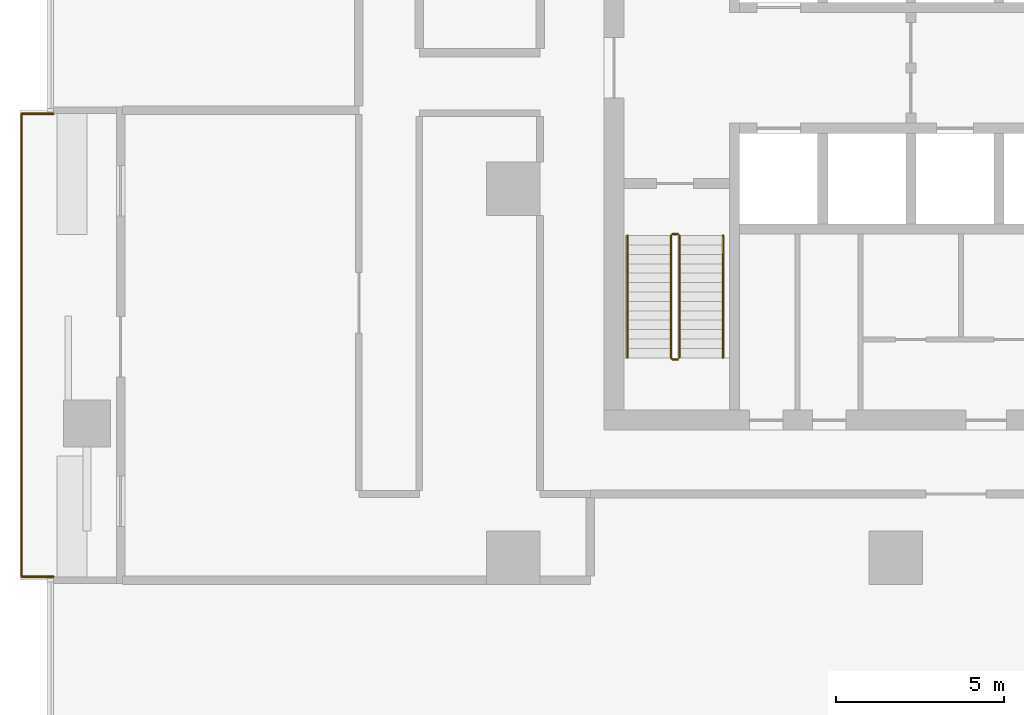
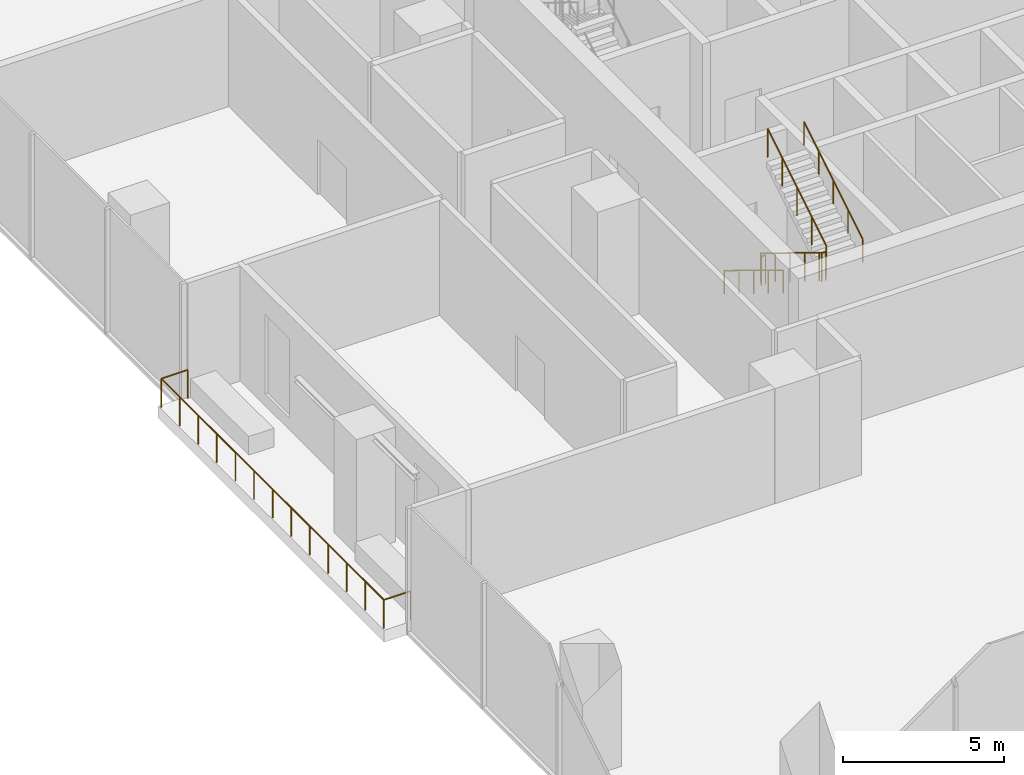
# One storey, part 12 of 14: 6 railings.
"""IFC4 building model written with IfcOpenShell, lengths in metres."""

from ifc_helpers import new_model, si_unit, direction, frame, origin, origin_2d, place, context, subcontext, project, spatial, circle, extrude, material, type_object, element, save


model = new_model("IFC4")

# Units and contexts
model_context = context("Model", 3, precision=1e-05, world=origin(), true_north=direction((0.0, 1.0)))
body_context = subcontext(model_context, "Body", "Model", "MODEL_VIEW")
ifc_project = project(units=[si_unit("LENGTHUNIT", "METRE"), si_unit("AREAUNIT", "SQUARE_METRE"), si_unit("VOLUMEUNIT", "CUBIC_METRE"), si_unit("PLANEANGLEUNIT", "RADIAN"), si_unit("MASSUNIT", "GRAM", prefix="KILO")], contexts=[model_context])

# Site, building, storey
site_placement = place(None, origin())
site = spatial("IfcSite", under=ifc_project, at=site_placement, CompositionType="ELEMENT")
building_placement = place(site_placement, origin())
building = spatial("IfcBuilding", under=site, at=building_placement, Name="Mopane Tessera Tower", CompositionType="ELEMENT")
storey_placement = place(building_placement, frame((0.0, 0.0, 35.800048828125)))
storey = spatial("IfcBuildingStorey", under=building, at=storey_placement, Name="L06", CompositionType="ELEMENT", Elevation=35.800048828125)

# Railings
ifc_material_1 = material(Name="Powder-coated steel balustrade", Category="steel")
railing_type_1 = type_object("IfcRailingType", Name="Escape stair guard 1100 mm", PredefinedType="GUARDRAIL", material=ifc_material_1)
railing_1_placement = place(storey_placement, frame((-12.39990234375, -1.39990234375, 0.17138671875)))
element("IfcRailing", 1, at=railing_1_placement, inside=storey, type_object=railing_type_1, Name="L06 ST1 stair guard 1", PredefinedType="GUARDRAIL", context=body_context, shape_type="SweptSolid", body=[
    extrude(circle(Radius=0.02392578125, at=origin_2d()), frame((0.0, 0.0, 1.076171875), z_axis=(0.0, -0.852865859571, 0.52213008492), x_axis=(1.0, 0.0, 0.0)), (0.0, 0.0, 1.0), 4.26806640625),
    extrude(circle(Radius=0.02392578125, at=origin_2d()), frame((0.0, -3.64013671875, 3.3046875), z_axis=(0.705375805398, -0.708833529934, 0.0), x_axis=(0.708833529934, 0.705375805398, 0.0)), (0.0, 0.0, 1.0), 0.070556640625),
    extrude(circle(Radius=0.02392578125, at=origin_2d()), frame((0.0498046875, -3.690185546875, 3.3046875), z_axis=(1.0, 0.0, 0.0), x_axis=(0.0, 1.0, 0.0)), (0.0, 0.0, 1.0), 0.150146484375),
    extrude(circle(Radius=0.02099609375, at=origin_2d()), origin(), (0.0, 0.0, 1.0), 1.052001953125),
    extrude(circle(Radius=0.02099609375, at=origin_2d()), frame((0.0, -0.91015625, 0.55712890625)), (0.0, 0.0, 1.0), 1.052001953125),
    extrude(circle(Radius=0.02099609375, at=origin_2d()), frame((0.0, -1.820068359375, 1.1142578125)), (0.0, 0.0, 1.0), 1.052001953125),
    extrude(circle(Radius=0.02099609375, at=origin_2d()), frame((0.0, -2.72998046875, 1.67138671875)), (0.0, 0.0, 1.0), 1.052001953125),
    extrude(circle(Radius=0.02099609375, at=origin_2d()), frame((0.0, -3.64013671875, 2.228515625)), (0.0, 0.0, 1.0), 1.052001953125),
    extrude(circle(Radius=0.02099609375, at=origin_2d()), frame((0.0498046875, -3.690185546875, 2.228515625)), (0.0, 0.0, 1.0), 1.052001953125),
    extrude(circle(Radius=0.02099609375, at=origin_2d()), frame((0.199951171875, -3.690185546875, 2.228515625)), (0.0, 0.0, 1.0), 1.052001953125),
])
railing_2_placement = place(storey_placement, frame((-12.14990234375, -5.0400390625, 2.5712890625)))
element("IfcRailing", 2, at=railing_2_placement, inside=storey, type_object=railing_type_1, Name="L06 ST1 stair guard 2", PredefinedType="GUARDRAIL", context=body_context, shape_type="SweptSolid", body=[
    extrude(circle(Radius=0.02392578125, at=origin_2d()), frame((0.0, 0.0, 1.076171875), z_axis=(0.0, 0.852840387347, 0.522171689878), x_axis=(-1.0, 0.0, 0.0)), (0.0, 0.0, 1.0), 4.268310546875),
    extrude(circle(Radius=0.02099609375, at=origin_2d()), origin(), (0.0, 0.0, 1.0), 1.052001953125),
    extrude(circle(Radius=0.02099609375, at=origin_2d()), frame((0.0, 0.91015625, 0.55712890625)), (0.0, 0.0, 1.0), 1.052001953125),
    extrude(circle(Radius=0.02099609375, at=origin_2d()), frame((0.0, 1.820068359375, 1.1142578125)), (0.0, 0.0, 1.0), 1.052001953125),
    extrude(circle(Radius=0.02099609375, at=origin_2d()), frame((0.0, 2.72998046875, 1.671630859375)), (0.0, 0.0, 1.0), 1.052001953125),
    extrude(circle(Radius=0.02099609375, at=origin_2d()), frame((0.0, 3.64013671875, 2.228759765625)), (0.0, 0.0, 1.0), 1.052001953125),
])
railing_3_placement = place(storey_placement, frame((-12.35009765625, -1.35009765625, 0.0)))
element("IfcRailing", 3, at=railing_3_placement, inside=storey, type_object=railing_type_1, Name="L06 ST1 stair guard 3", PredefinedType="GUARDRAIL", context=body_context, shape_type="SweptSolid", body=[
    extrude(circle(Radius=0.02392578125, at=origin_2d()), frame((0.0, 0.0, 1.076171875), z_axis=(1.0, 0.0, 0.0), x_axis=(0.0, 1.0, 0.0)), (0.0, 0.0, 1.0), 0.150146484375),
    extrude(circle(Radius=0.02099609375, at=origin_2d()), origin(), (0.0, 0.0, 1.0), 1.052001953125),
    extrude(circle(Radius=0.02099609375, at=origin_2d()), frame((0.150146484375, 0.0, 0.0)), (0.0, 0.0, 1.0), 1.052001953125),
])
ifc_material_2 = material(Name="Powder-coated steel balustrade", Category="steel")
railing_type_2 = type_object("IfcRailingType", Name="Escape stair handrail 900 mm", PredefinedType="HANDRAIL", material=ifc_material_2)
railing_4_placement = place(storey_placement, frame((-13.699951171875, -1.39990234375, 0.17138671875)))
element("IfcRailing", 4, at=railing_4_placement, inside=storey, type_object=railing_type_2, Name="L06 ST1 stair handrail 1", PredefinedType="HANDRAIL", context=body_context, shape_type="SweptSolid", body=[
    extrude(circle(Radius=0.02392578125, at=origin_2d()), frame((0.0, 0.0, 0.8759765625), z_axis=(0.0, -0.852865859571, 0.52213008492), x_axis=(1.0, 0.0, 0.0)), (0.0, 0.0, 1.0), 4.26806640625),
    extrude(circle(Radius=0.02099609375, at=origin_2d()), origin(), (0.0, 0.0, 1.0), 0.851806640625),
    extrude(circle(Radius=0.02099609375, at=origin_2d()), frame((0.0, -0.91015625, 0.55712890625)), (0.0, 0.0, 1.0), 0.851806640625),
    extrude(circle(Radius=0.02099609375, at=origin_2d()), frame((0.0, -1.820068359375, 1.1142578125)), (0.0, 0.0, 1.0), 0.851806640625),
    extrude(circle(Radius=0.02099609375, at=origin_2d()), frame((0.0, -2.72998046875, 1.67138671875)), (0.0, 0.0, 1.0), 0.851806640625),
    extrude(circle(Radius=0.02099609375, at=origin_2d()), frame((0.0, -3.64013671875, 2.228515625)), (0.0, 0.0, 1.0), 0.851806640625),
])
railing_5_placement = place(storey_placement, frame((-10.85009765625, -5.0400390625, 2.5712890625)))
element("IfcRailing", 5, at=railing_5_placement, inside=storey, type_object=railing_type_2, Name="L06 ST1 stair handrail 2", PredefinedType="HANDRAIL", context=body_context, shape_type="SweptSolid", body=[
    extrude(circle(Radius=0.02392578125, at=origin_2d()), frame((0.0, 0.0, 0.8759765625), z_axis=(0.0, 0.852840387347, 0.522171689878), x_axis=(-1.0, 0.0, 0.0)), (0.0, 0.0, 1.0), 4.268310546875),
    extrude(circle(Radius=0.02099609375, at=origin_2d()), origin(), (0.0, 0.0, 1.0), 0.851806640625),
    extrude(circle(Radius=0.02099609375, at=origin_2d()), frame((0.0, 0.91015625, 0.55712890625)), (0.0, 0.0, 1.0), 0.851806640625),
    extrude(circle(Radius=0.02099609375, at=origin_2d()), frame((0.0, 1.820068359375, 1.1142578125)), (0.0, 0.0, 1.0), 0.851806640625),
    extrude(circle(Radius=0.02099609375, at=origin_2d()), frame((0.0, 2.72998046875, 1.671630859375)), (0.0, 0.0, 1.0), 0.851806640625),
    extrude(circle(Radius=0.02099609375, at=origin_2d()), frame((0.0, 3.64013671875, 2.228759765625)), (0.0, 0.0, 1.0), 0.851806640625),
])
ifc_material_3 = material(Name="Stainless steel S316", Category="steel")
railing_type_3 = type_object("IfcRailingType", Name="Terrace guard 1100", PredefinedType="GUARDRAIL", material=ifc_material_3)
railing_6_placement = place(storey_placement, frame((-30.800048828125, 2.2333984375, 0.0)))
element("IfcRailing", 6, at=railing_6_placement, inside=storey, type_object=railing_type_3, Name="e:nw:L06:N3:guard", PredefinedType="GUARDRAIL", context=body_context, shape_type="SweptSolid", body=[
    extrude(circle(Radius=0.02392578125, at=origin_2d()), frame((0.0, 0.0, 1.076171875), z_axis=(-1.0, 0.0, 0.0), x_axis=(0.0, -1.0, 0.0)), (0.0, 0.0, 1.0), 0.949951171875),
    extrude(circle(Radius=0.02392578125, at=origin_2d()), frame((-0.949951171875, 0.0, 1.076171875), z_axis=(0.0, -1.0, 0.0), x_axis=(1.0, 0.0, 0.0)), (0.0, 0.0, 1.0), 13.800048828125),
    extrude(circle(Radius=0.02392578125, at=origin_2d()), frame((-0.949951171875, -13.800048828125, 1.076171875), z_axis=(1.0, 0.0, 0.0), x_axis=(0.0, 1.0, 0.0)), (0.0, 0.0, 1.0), 0.949951171875),
    extrude(circle(Radius=0.02099609375, at=origin_2d()), origin(), (0.0, 0.0, 1.0), 1.052001953125),
    extrude(circle(Radius=0.02099609375, at=origin_2d()), frame((-0.949951171875, 0.0, 0.0)), (0.0, 0.0, 1.0), 1.052001953125),
    extrude(circle(Radius=0.02099609375, at=origin_2d()), frame((-0.949951171875, -1.14990234375, 0.0)), (0.0, 0.0, 1.0), 1.052001953125),
    extrude(circle(Radius=0.02099609375, at=origin_2d()), frame((-0.949951171875, -2.300048828125, 0.0)), (0.0, 0.0, 1.0), 1.052001953125),
    extrude(circle(Radius=0.02099609375, at=origin_2d()), frame((-0.949951171875, -3.449951171875, 0.0)), (0.0, 0.0, 1.0), 1.052001953125),
    extrude(circle(Radius=0.02099609375, at=origin_2d()), frame((-0.949951171875, -4.60009765625, 0.0)), (0.0, 0.0, 1.0), 1.052001953125),
    extrude(circle(Radius=0.02099609375, at=origin_2d()), frame((-0.949951171875, -5.75, 0.0)), (0.0, 0.0, 1.0), 1.052001953125),
    extrude(circle(Radius=0.02099609375, at=origin_2d()), frame((-0.949951171875, -6.89990234375, 0.0)), (0.0, 0.0, 1.0), 1.052001953125),
    extrude(circle(Radius=0.02099609375, at=origin_2d()), frame((-0.949951171875, -8.050048828125, 0.0)), (0.0, 0.0, 1.0), 1.052001953125),
    extrude(circle(Radius=0.02099609375, at=origin_2d()), frame((-0.949951171875, -9.199951171875, 0.0)), (0.0, 0.0, 1.0), 1.052001953125),
    extrude(circle(Radius=0.02099609375, at=origin_2d()), frame((-0.949951171875, -10.35009765625, 0.0)), (0.0, 0.0, 1.0), 1.052001953125),
    extrude(circle(Radius=0.02099609375, at=origin_2d()), frame((-0.949951171875, -11.5, 0.0)), (0.0, 0.0, 1.0), 1.052001953125),
    extrude(circle(Radius=0.02099609375, at=origin_2d()), frame((-0.949951171875, -12.650146484375, 0.0)), (0.0, 0.0, 1.0), 1.052001953125),
    extrude(circle(Radius=0.02099609375, at=origin_2d()), frame((-0.949951171875, -13.800048828125, 0.0)), (0.0, 0.0, 1.0), 1.052001953125),
    extrude(circle(Radius=0.02099609375, at=origin_2d()), frame((0.0, -13.800048828125, 0.0)), (0.0, 0.0, 1.0), 1.052001953125),
])

save(model, "model.ifc")
